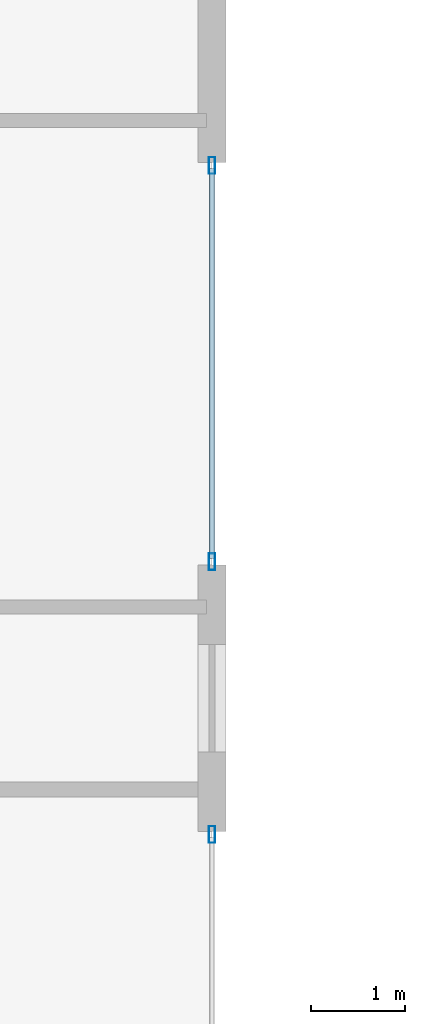
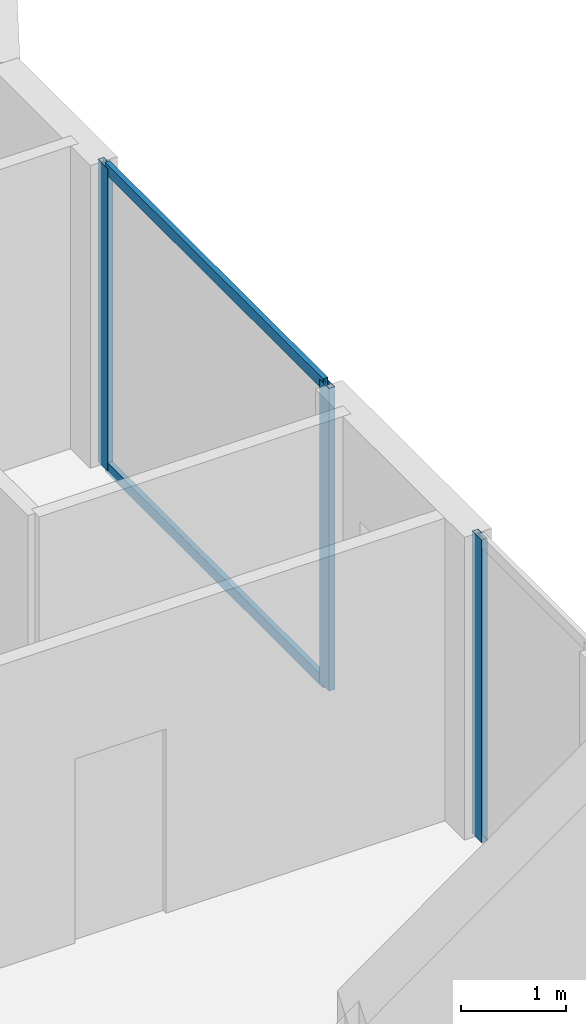
# One storey, part 12 of 32: 5 members, 2 elements without a shape of their own.
"""IFC4 building model written with IfcOpenShell, lengths in metres."""

from ifc_helpers import new_model, si_unit, direction, frame, origin, origin_2d, place, context, subcontext, project, spatial, hollow_rectangle, extrude, material, layer, layer_set, material_profile, profile_set, type_object, element, aggregate, save


model = new_model("IFC4")

# Units and contexts
model_context = context("Model", 3, precision=1e-05, world=origin(), true_north=direction((0.0, 1.0)))
body_context = subcontext(model_context, "Body", "Model", "MODEL_VIEW")
ifc_project = project(units=[si_unit("LENGTHUNIT", "METRE"), si_unit("AREAUNIT", "SQUARE_METRE"), si_unit("VOLUMEUNIT", "CUBIC_METRE"), si_unit("PLANEANGLEUNIT", "RADIAN"), si_unit("MASSUNIT", "GRAM", prefix="KILO")], contexts=[model_context])

# Site, building, storey
site_placement = place(None, origin())
site = spatial("IfcSite", under=ifc_project, at=site_placement, CompositionType="ELEMENT")
building_placement = place(site_placement, origin())
building = spatial("IfcBuilding", under=site, at=building_placement, Name="Zuhayl Quay Hotel", CompositionType="ELEMENT")
storey_placement = place(building_placement, frame((0.0, 0.0, 196.14990234375)))
storey = spatial("IfcBuildingStorey", under=building, at=storey_placement, Name="L49", CompositionType="ELEMENT", Elevation=196.14990234375)

# Curtain wall, members
ifc_material_1 = material(Name="Anodised Aluminium 6063-T6", Category="aluminium")
ifc_layer = layer(ifc_material_1, 0.175048828125, Name="Anodised Aluminium 6063-T6", Category="aluminium")
ifc_layer_set = layer_set([ifc_layer], Name="Anodised Aluminium 6063-T6")
curtain_wall_type = type_object("IfcCurtainWallType", Name="CW_SYS_Z3", PredefinedType="USERDEFINED", material=ifc_layer_set)
curtain_wall_1_placement = place(storey_placement, origin())
curtain_wall_1 = element("IfcCurtainWall", 1, at=curtain_wall_1_placement, inside=storey, type_object=curtain_wall_type, Name="L49 Curtain Wall ENV_L49_E14_CW1", ObjectType="UNITISED CURTAIN WALL", PredefinedType="USERDEFINED")
ifc_material_2 = material(Name="Black-anodised aluminium 6063-T6", Category="aluminium")
ifc_material_profile_1 = material_profile(ifc_material_2, hollow_rectangle(XDim=0.06494140625, YDim=0.179931640625, WallThickness=0.00341796875, at=origin_2d()), Name="ALU180X65")
ifc_profile_set_1 = profile_set([ifc_material_profile_1], Name="Black-anodised aluminium 6063-T6")
member_type_1 = type_object("IfcMemberType", Name="MB_CW_MUL_180", PredefinedType="MULLION", material=ifc_profile_set_1)
member_1_placement = place(storey_placement, frame((22.10009765625, 6.267578125, 0.0), z_axis=(0.0, 0.0, 1.0), x_axis=(1.0, 0.0, 0.0)))
member_1 = element("IfcMember", 2, at=member_1_placement, type_object=member_type_1, Name="CW-Z3 mullion 1", PredefinedType="MULLION", context=body_context, shape_type="SweptSolid", body=[
    extrude(hollow_rectangle(XDim=0.06494140625, YDim=0.179931640625, WallThickness=0.00341796875, at=origin_2d()), origin(), (0.0, 0.0, 1.0), 3.530029296875),
])
member_2_placement = place(storey_placement, frame((22.10009765625, 2.032470703125, 0.0), z_axis=(0.0, 0.0, 1.0), x_axis=(1.0, 0.0, 0.0)))
member_2 = element("IfcMember", 3, at=member_2_placement, type_object=member_type_1, Name="CW-Z3 mullion 2", PredefinedType="MULLION", context=body_context, shape_type="SweptSolid", body=[
    extrude(hollow_rectangle(XDim=0.06494140625, YDim=0.179931640625, WallThickness=0.00341796875, at=origin_2d()), origin(), (0.0, 0.0, 1.0), 3.530029296875),
])

# Curtain wall, member
curtain_wall_2_placement = place(storey_placement, origin())
curtain_wall_2 = element("IfcCurtainWall", 4, at=curtain_wall_2_placement, inside=storey, type_object=curtain_wall_type, Name="L49 Curtain Wall ENV_L49_E14_CW2", ObjectType="UNITISED CURTAIN WALL", PredefinedType="USERDEFINED")
member_3_placement = place(storey_placement, frame((22.10009765625, -0.882568359375, 0.0), z_axis=(0.0, 0.0, 1.0), x_axis=(1.0, 0.0, 0.0)))
member_3 = element("IfcMember", 5, at=member_3_placement, type_object=member_type_1, Name="CW-Z3 mullion 1", PredefinedType="MULLION", context=body_context, shape_type="SweptSolid", body=[
    extrude(hollow_rectangle(XDim=0.06494140625, YDim=0.179931640625, WallThickness=0.00341796875, at=origin_2d()), origin(), (0.0, 0.0, 1.0), 3.530029296875),
])
aggregate(curtain_wall_2, [member_3])

# Member
ifc_material_profile_2 = material_profile(ifc_material_2, hollow_rectangle(XDim=0.054931640625, YDim=0.1298828125, WallThickness=0.0029296875, at=origin_2d()), Name="ALU130X55")
ifc_profile_set_2 = profile_set([ifc_material_profile_2], Name="Black-anodised aluminium 6063-T6")
member_type_2 = type_object("IfcMemberType", Name="MB_CW_TRN_130", PredefinedType="USERDEFINED", material=ifc_profile_set_2)
member_4_placement = place(storey_placement, frame((22.10009765625, 6.235107421875, 0.027587890625), z_axis=(0.0, -1.0, 0.0), x_axis=(1.0, 0.0, 0.0)))
member_4 = element("IfcMember", 6, at=member_4_placement, type_object=member_type_2, Name="CW-Z3 transom 1.1", ObjectType="TRANSOM", PredefinedType="USERDEFINED", context=body_context, shape_type="SweptSolid", body=[
    extrude(hollow_rectangle(XDim=0.054931640625, YDim=0.1298828125, WallThickness=0.0029296875, at=origin_2d()), origin(), (0.0, 0.0, 1.0), 4.170166015625),
])

member_5_placement = place(storey_placement, frame((22.10009765625, 6.235107421875, 3.502685546875), z_axis=(0.0, -1.0, 0.0), x_axis=(1.0, 0.0, 0.0)))
member_5 = element("IfcMember", 7, at=member_5_placement, type_object=member_type_2, Name="CW-Z3 transom 1.2", ObjectType="TRANSOM", PredefinedType="USERDEFINED", context=body_context, shape_type="SweptSolid", body=[
    extrude(hollow_rectangle(XDim=0.054931640625, YDim=0.1298828125, WallThickness=0.0029296875, at=origin_2d()), origin(), (0.0, 0.0, 1.0), 4.170166015625),
])

aggregate(curtain_wall_1, [member_1, member_2, member_4, member_5])

save(model, "model.ifc")
